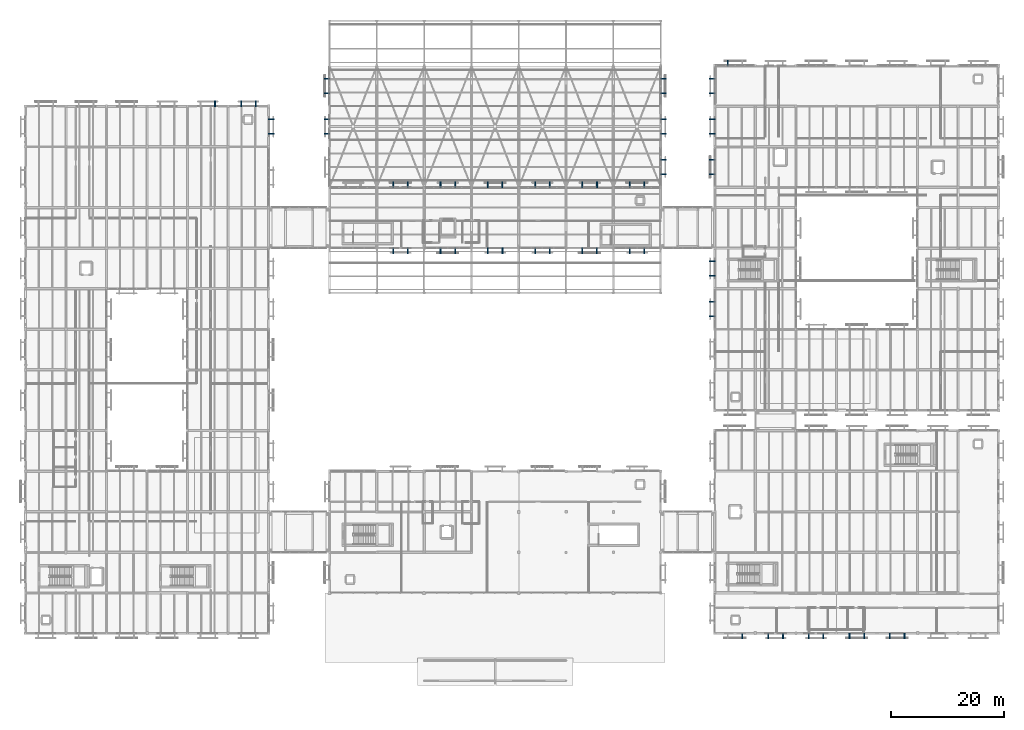
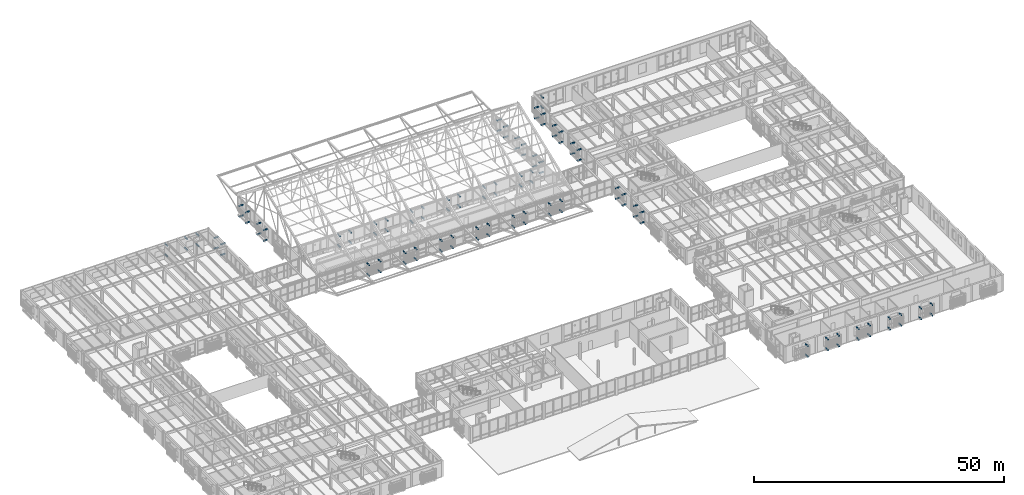
# One storey, part 191 of 217: 118 discrete accessories.
"""IFC4 building model written with IfcOpenShell, lengths in metres."""

from ifc_helpers import new_model, si_unit, direction, frame, origin, origin_2d, place, context, subcontext, project, spatial, rectangle, extrude, material, type_object, element, save


model = new_model("IFC4")

# Units and contexts
model_context = context("Model", 3, precision=1e-05, world=origin(), true_north=direction((0.0, 1.0)))
body_context = subcontext(model_context, "Body", "Model", "MODEL_VIEW")
ifc_project = project(units=[si_unit("LENGTHUNIT", "METRE"), si_unit("AREAUNIT", "SQUARE_METRE"), si_unit("VOLUMEUNIT", "CUBIC_METRE"), si_unit("PLANEANGLEUNIT", "RADIAN"), si_unit("MASSUNIT", "GRAM", prefix="KILO")], contexts=[model_context])

# Site, building, storey
site_placement = place(None, origin())
site = spatial("IfcSite", under=ifc_project, at=site_placement, CompositionType="ELEMENT")
building_placement = place(site_placement, origin())
building = spatial("IfcBuilding", under=site, at=building_placement, Name="Mazaris Harbour Polytechnic", CompositionType="ELEMENT")
storey_placement = place(building_placement, frame((0.0, 0.0, 9.60009765625)))
storey = spatial("IfcBuildingStorey", under=building, at=storey_placement, Name="L02", CompositionType="ELEMENT", Elevation=9.60009765625)

# Discrete accessories
ifc_material = material(Name="Stainless Steel S355", Category="steel")
discrete_accessory_type = type_object("IfcDiscreteAccessoryType", Name="Stainless Screen Outrigger Bracket 200x1020x200", PredefinedType="BRACKET", material=ifc_material)
for number, where, z_axis, x_axis, name in (
    (1, (67.910888671875, 75.159912109375, 0.16015625), (0.0, 0.0, 1.0), (-1.0, 0.0, 0.0), "Screen Outrigger Bracket 93"),
    (2, (67.910888671875, 75.159912109375, 2.73974609375), (0.0, 0.0, 1.0), (-1.0, 0.0, 0.0), "Screen Outrigger Bracket 94"),
    (3, (65.319091796875, 75.159912109375, 0.16015625), (0.0, 0.0, 1.0), (-1.0, 0.0, 0.0), "Screen Outrigger Bracket 95"),
    (4, (65.319091796875, 75.159912109375, 2.73974609375), (0.0, 0.0, 1.0), (-1.0, 0.0, 0.0), "Screen Outrigger Bracket 96"),
    (5, (76.301025390625, 75.159912109375, 0.16015625), (0.0, 0.0, 1.0), (-1.0, 0.0, 0.0), "Screen Outrigger Bracket 97"),
    (6, (76.301025390625, 75.159912109375, 2.73974609375), (0.0, 0.0, 1.0), (-1.0, 0.0, 0.0), "Screen Outrigger Bracket 98"),
    (7, (73.708984375, 75.159912109375, 0.16015625), (0.0, 0.0, 1.0), (-1.0, 0.0, 0.0), "Screen Outrigger Bracket 99"),
    (8, (73.708984375, 75.159912109375, 2.73974609375), (0.0, 0.0, 1.0), (-1.0, 0.0, 0.0), "Screen Outrigger Bracket 100"),
    (9, (84.7109375, 75.159912109375, 0.16015625), (0.0, 0.0, 1.0), (-1.0, 0.0, 0.0), "Screen Outrigger Bracket 101"),
    (10, (84.7109375, 75.159912109375, 2.73974609375), (0.0, 0.0, 1.0), (-1.0, 0.0, 0.0), "Screen Outrigger Bracket 102"),
    (11, (82.118896484375, 75.159912109375, 0.16015625), (0.0, 0.0, 1.0), (-1.0, 0.0, 0.0), "Screen Outrigger Bracket 103"),
    (12, (82.118896484375, 75.159912109375, 2.73974609375), (0.0, 0.0, 1.0), (-1.0, 0.0, 0.0), "Screen Outrigger Bracket 104"),
    (13, (93.10107421875, 75.159912109375, 0.16015625), (0.0, 0.0, 1.0), (-1.0, 0.0, 0.0), "Screen Outrigger Bracket 105"),
    (14, (93.10107421875, 75.159912109375, 2.73974609375), (0.0, 0.0, 1.0), (-1.0, 0.0, 0.0), "Screen Outrigger Bracket 106"),
    (15, (90.509033203125, 75.159912109375, 0.16015625), (0.0, 0.0, 1.0), (-1.0, 0.0, 0.0), "Screen Outrigger Bracket 107"),
    (16, (90.509033203125, 75.159912109375, 2.73974609375), (0.0, 0.0, 1.0), (-1.0, 0.0, 0.0), "Screen Outrigger Bracket 108"),
    (17, (101.466064453125, 75.159912109375, 0.16015625), (0.0, 0.0, 1.0), (-1.0, 0.0, 0.0), "Screen Outrigger Bracket 109"),
    (18, (101.466064453125, 75.159912109375, 2.73974609375), (0.0, 0.0, 1.0), (-1.0, 0.0, 0.0), "Screen Outrigger Bracket 110"),
    (19, (98.8740234375, 75.159912109375, 0.16015625), (0.0, 0.0, 1.0), (-1.0, 0.0, 0.0), "Screen Outrigger Bracket 111"),
    (20, (98.8740234375, 75.159912109375, 2.73974609375), (0.0, 0.0, 1.0), (-1.0, 0.0, 0.0), "Screen Outrigger Bracket 112"),
    (21, (109.910888671875, 75.159912109375, 0.16015625), (0.0, 0.0, 1.0), (-1.0, 0.0, 0.0), "Screen Outrigger Bracket 113"),
    (22, (109.910888671875, 75.159912109375, 2.73974609375), (0.0, 0.0, 1.0), (-1.0, 0.0, 0.0), "Screen Outrigger Bracket 114"),
    (23, (107.319091796875, 75.159912109375, 0.16015625), (0.0, 0.0, 1.0), (-1.0, 0.0, 0.0), "Screen Outrigger Bracket 115"),
    (24, (107.319091796875, 75.159912109375, 2.73974609375), (0.0, 0.0, 1.0), (-1.0, 0.0, 0.0), "Screen Outrigger Bracket 116"),
    (25, (65.303955078125, 86.840087890625, 0.16015625), (0.0, 0.0, 1.0), (1.0, 0.0, 0.0), "Screen Outrigger Bracket 121"),
    (26, (65.303955078125, 86.840087890625, 2.73974609375), (0.0, 0.0, 1.0), (1.0, 0.0, 0.0), "Screen Outrigger Bracket 122"),
    (27, (67.89599609375, 86.840087890625, 0.16015625), (0.0, 0.0, 1.0), (1.0, 0.0, 0.0), "Screen Outrigger Bracket 123"),
    (28, (67.89599609375, 86.840087890625, 2.73974609375), (0.0, 0.0, 1.0), (1.0, 0.0, 0.0), "Screen Outrigger Bracket 124"),
    (29, (73.7041015625, 86.840087890625, 0.16015625), (0.0, 0.0, 1.0), (1.0, 0.0, 0.0), "Screen Outrigger Bracket 125"),
    (30, (73.7041015625, 86.840087890625, 2.73974609375), (0.0, 0.0, 1.0), (1.0, 0.0, 0.0), "Screen Outrigger Bracket 126"),
    (31, (76.2958984375, 86.840087890625, 0.16015625), (0.0, 0.0, 1.0), (1.0, 0.0, 0.0), "Screen Outrigger Bracket 127"),
    (32, (76.2958984375, 86.840087890625, 2.73974609375), (0.0, 0.0, 1.0), (1.0, 0.0, 0.0), "Screen Outrigger Bracket 128"),
    (33, (82.10400390625, 86.840087890625, 0.16015625), (0.0, 0.0, 1.0), (1.0, 0.0, 0.0), "Screen Outrigger Bracket 129"),
    (34, (82.10400390625, 86.840087890625, 2.73974609375), (0.0, 0.0, 1.0), (1.0, 0.0, 0.0), "Screen Outrigger Bracket 130"),
    (35, (84.696044921875, 86.840087890625, 0.16015625), (0.0, 0.0, 1.0), (1.0, 0.0, 0.0), "Screen Outrigger Bracket 131"),
    (36, (84.696044921875, 86.840087890625, 2.73974609375), (0.0, 0.0, 1.0), (1.0, 0.0, 0.0), "Screen Outrigger Bracket 132"),
    (37, (90.50390625, 86.840087890625, 0.16015625), (0.0, 0.0, 1.0), (1.0, 0.0, 0.0), "Screen Outrigger Bracket 133"),
    (38, (90.50390625, 86.840087890625, 2.73974609375), (0.0, 0.0, 1.0), (1.0, 0.0, 0.0), "Screen Outrigger Bracket 134"),
    (39, (93.095947265625, 86.840087890625, 0.16015625), (0.0, 0.0, 1.0), (1.0, 0.0, 0.0), "Screen Outrigger Bracket 135"),
    (40, (93.095947265625, 86.840087890625, 2.73974609375), (0.0, 0.0, 1.0), (1.0, 0.0, 0.0), "Screen Outrigger Bracket 136"),
    (41, (98.904052734375, 86.840087890625, 0.16015625), (0.0, 0.0, 1.0), (1.0, 0.0, 0.0), "Screen Outrigger Bracket 137"),
    (42, (98.904052734375, 86.840087890625, 2.73974609375), (0.0, 0.0, 1.0), (1.0, 0.0, 0.0), "Screen Outrigger Bracket 138"),
    (43, (101.49609375, 86.840087890625, 0.16015625), (0.0, 0.0, 1.0), (1.0, 0.0, 0.0), "Screen Outrigger Bracket 139"),
    (44, (101.49609375, 86.840087890625, 2.73974609375), (0.0, 0.0, 1.0), (1.0, 0.0, 0.0), "Screen Outrigger Bracket 140"),
    (45, (107.303955078125, 86.840087890625, 0.16015625), (0.0, 0.0, 1.0), (1.0, 0.0, 0.0), "Screen Outrigger Bracket 141"),
    (46, (107.303955078125, 86.840087890625, 2.73974609375), (0.0, 0.0, 1.0), (1.0, 0.0, 0.0), "Screen Outrigger Bracket 142"),
    (47, (109.89599609375, 86.840087890625, 0.16015625), (0.0, 0.0, 1.0), (1.0, 0.0, 0.0), "Screen Outrigger Bracket 143"),
    (48, (109.89599609375, 86.840087890625, 2.73974609375), (0.0, 0.0, 1.0), (1.0, 0.0, 0.0), "Screen Outrigger Bracket 144"),
    (49, (53.56005859375, 95.89404296875, 0.16015625), (0.0, 0.0, 1.0), (0.0, 1.0, 0.0), "Screen Outrigger Bracket 149"),
    (50, (53.56005859375, 95.89404296875, 2.73974609375), (0.0, 0.0, 1.0), (0.0, 1.0, 0.0), "Screen Outrigger Bracket 150"),
    (51, (53.56005859375, 98.486083984375, 0.16015625), (0.0, 0.0, 1.0), (0.0, 1.0, 0.0), "Screen Outrigger Bracket 151"),
    (52, (53.56005859375, 98.486083984375, 2.73974609375), (0.0, 0.0, 1.0), (0.0, 1.0, 0.0), "Screen Outrigger Bracket 152"),
    (53, (53.56005859375, 103.093994140625, 0.16015625), (0.0, 0.0, 1.0), (0.0, 1.0, 0.0), "Screen Outrigger Bracket 153"),
    (54, (53.56005859375, 103.093994140625, 2.73974609375), (0.0, 0.0, 1.0), (0.0, 1.0, 0.0), "Screen Outrigger Bracket 154"),
    (55, (53.56005859375, 105.68603515625, 0.16015625), (0.0, 0.0, 1.0), (0.0, 1.0, 0.0), "Screen Outrigger Bracket 155"),
    (56, (53.56005859375, 105.68603515625, 2.73974609375), (0.0, 0.0, 1.0), (0.0, 1.0, 0.0), "Screen Outrigger Bracket 156"),
    (57, (113.239990234375, 91.31591796875, 0.16015625), (0.0, 0.0, 1.0), (0.0, -1.0, 0.0), "Screen Outrigger Bracket 157"),
    (58, (113.239990234375, 91.31591796875, 2.73974609375), (0.0, 0.0, 1.0), (0.0, -1.0, 0.0), "Screen Outrigger Bracket 158"),
    (59, (113.239990234375, 88.72412109375, 0.16015625), (0.0, 0.0, 1.0), (0.0, -1.0, 0.0), "Screen Outrigger Bracket 159"),
    (60, (113.239990234375, 88.72412109375, 2.73974609375), (0.0, 0.0, 1.0), (0.0, -1.0, 0.0), "Screen Outrigger Bracket 160"),
    (61, (113.239990234375, 98.486083984375, 0.16015625), (0.0, 0.0, 1.0), (0.0, -1.0, 0.0), "Screen Outrigger Bracket 161"),
    (62, (113.239990234375, 98.486083984375, 2.73974609375), (0.0, 0.0, 1.0), (0.0, -1.0, 0.0), "Screen Outrigger Bracket 162"),
    (63, (113.239990234375, 95.89404296875, 0.16015625), (0.0, 0.0, 1.0), (0.0, -1.0, 0.0), "Screen Outrigger Bracket 163"),
    (64, (113.239990234375, 95.89404296875, 2.73974609375), (0.0, 0.0, 1.0), (0.0, -1.0, 0.0), "Screen Outrigger Bracket 164"),
    (65, (113.239990234375, 105.68603515625, 0.16015625), (0.0, 0.0, 1.0), (0.0, -1.0, 0.0), "Screen Outrigger Bracket 165"),
    (66, (113.239990234375, 105.68603515625, 2.73974609375), (0.0, 0.0, 1.0), (0.0, -1.0, 0.0), "Screen Outrigger Bracket 166"),
    (67, (113.239990234375, 103.093994140625, 0.16015625), (0.0, 0.0, 1.0), (0.0, -1.0, 0.0), "Screen Outrigger Bracket 167"),
    (68, (113.239990234375, 103.093994140625, 2.73974609375), (0.0, 0.0, 1.0), (0.0, -1.0, 0.0), "Screen Outrigger Bracket 168"),
    (69, (127.281005859375, 6.760009765625, 0.16015625), (0.0, 0.0, 1.0), (-1.0, 0.0, 0.0), "Screen Outrigger Bracket 265"),
    (70, (127.281005859375, 6.760009765625, 2.73974609375), (0.0, 0.0, 1.0), (-1.0, 0.0, 0.0), "Screen Outrigger Bracket 266"),
    (71, (134.51611328125, 6.760009765625, 0.16015625), (0.0, 0.0, 1.0), (-1.0, 0.0, 0.0), "Screen Outrigger Bracket 269"),
    (72, (134.51611328125, 6.760009765625, 2.73974609375), (0.0, 0.0, 1.0), (-1.0, 0.0, 0.0), "Screen Outrigger Bracket 270"),
    (73, (131.924072265625, 6.760009765625, 0.16015625), (0.0, 0.0, 1.0), (-1.0, 0.0, 0.0), "Screen Outrigger Bracket 271"),
    (74, (131.924072265625, 6.760009765625, 2.73974609375), (0.0, 0.0, 1.0), (-1.0, 0.0, 0.0), "Screen Outrigger Bracket 272"),
    (75, (141.6708984375, 6.760009765625, 0.16015625), (0.0, 0.0, 1.0), (-1.0, 0.0, 0.0), "Screen Outrigger Bracket 273"),
    (76, (141.6708984375, 6.760009765625, 2.73974609375), (0.0, 0.0, 1.0), (-1.0, 0.0, 0.0), "Screen Outrigger Bracket 274"),
    (77, (139.0791015625, 6.760009765625, 0.16015625), (0.0, 0.0, 1.0), (-1.0, 0.0, 0.0), "Screen Outrigger Bracket 275"),
    (78, (139.0791015625, 6.760009765625, 2.73974609375), (0.0, 0.0, 1.0), (-1.0, 0.0, 0.0), "Screen Outrigger Bracket 276"),
    (79, (148.916015625, 6.760009765625, 0.16015625), (0.0, 0.0, 1.0), (-1.0, 0.0, 0.0), "Screen Outrigger Bracket 277"),
    (80, (148.916015625, 6.760009765625, 2.73974609375), (0.0, 0.0, 1.0), (-1.0, 0.0, 0.0), "Screen Outrigger Bracket 278"),
    (81, (146.323974609375, 6.760009765625, 0.16015625), (0.0, 0.0, 1.0), (-1.0, 0.0, 0.0), "Screen Outrigger Bracket 279"),
    (82, (146.323974609375, 6.760009765625, 2.73974609375), (0.0, 0.0, 1.0), (-1.0, 0.0, 0.0), "Screen Outrigger Bracket 280"),
    (83, (156.0810546875, 6.760009765625, 0.16015625), (0.0, 0.0, 1.0), (-1.0, 0.0, 0.0), "Screen Outrigger Bracket 281"),
    (84, (156.0810546875, 6.760009765625, 2.73974609375), (0.0, 0.0, 1.0), (-1.0, 0.0, 0.0), "Screen Outrigger Bracket 282"),
    (85, (153.489013671875, 6.760009765625, 0.16015625), (0.0, 0.0, 1.0), (-1.0, 0.0, 0.0), "Screen Outrigger Bracket 283"),
    (86, (153.489013671875, 6.760009765625, 2.73974609375), (0.0, 0.0, 1.0), (-1.0, 0.0, 0.0), "Screen Outrigger Bracket 284"),
    (87, (33.680908203125, 101.239990234375, 0.16015625), (0.0, 0.0, 1.0), (1.0, 0.0, 0.0), "Screen Outrigger Bracket 843"),
    (88, (33.680908203125, 101.239990234375, 2.73974609375), (0.0, 0.0, 1.0), (1.0, 0.0, 0.0), "Screen Outrigger Bracket 844"),
    (89, (38.299072265625, 101.239990234375, 0.16015625), (0.0, 0.0, 1.0), (1.0, 0.0, 0.0), "Screen Outrigger Bracket 845"),
    (90, (38.299072265625, 101.239990234375, 2.73974609375), (0.0, 0.0, 1.0), (1.0, 0.0, 0.0), "Screen Outrigger Bracket 846"),
    (91, (40.89111328125, 101.239990234375, 0.16015625), (0.0, 0.0, 1.0), (1.0, 0.0, 0.0), "Screen Outrigger Bracket 847"),
    (92, (40.89111328125, 101.239990234375, 2.73974609375), (0.0, 0.0, 1.0), (1.0, 0.0, 0.0), "Screen Outrigger Bracket 848"),
    (93, (43.639892578125, 98.48095703125, 0.16015625), (0.0, 0.0, 1.0), (0.0, -1.0, 0.0), "Screen Outrigger Bracket 933"),
    (94, (43.639892578125, 98.48095703125, 2.72998046875), (0.0, 0.0, 1.0), (0.0, -1.0, 0.0), "Screen Outrigger Bracket 934"),
    (95, (43.639892578125, 95.888916015625, 0.16015625), (0.0, 0.0, 1.0), (0.0, -1.0, 0.0), "Screen Outrigger Bracket 935"),
    (96, (43.639892578125, 95.888916015625, 2.72998046875), (0.0, 0.0, 1.0), (0.0, -1.0, 0.0), "Screen Outrigger Bracket 936"),
    (97, (124.718994140625, 108.43994140625, 0.16015625), (0.0, 0.0, 1.0), (1.0, 0.0, 0.0), "Screen Outrigger Bracket 1645"),
    (98, (124.718994140625, 108.43994140625, 2.73974609375), (0.0, 0.0, 1.0), (1.0, 0.0, 0.0), "Screen Outrigger Bracket 1646"),
    (99, (121.9599609375, 63.493896484375, 0.16015625), (0.0, 0.0, 1.0), (0.0, 1.0, 0.0), "Screen Outrigger Bracket 1681"),
    (100, (121.9599609375, 63.493896484375, 2.73974609375), (0.0, 0.0, 1.0), (0.0, 1.0, 0.0), "Screen Outrigger Bracket 1682"),
    (101, (121.9599609375, 66.0859375, 0.16015625), (0.0, 0.0, 1.0), (0.0, 1.0, 0.0), "Screen Outrigger Bracket 1683"),
    (102, (121.9599609375, 66.0859375, 2.73974609375), (0.0, 0.0, 1.0), (0.0, 1.0, 0.0), "Screen Outrigger Bracket 1684"),
    (103, (121.9599609375, 70.694091796875, 0.16015625), (0.0, 0.0, 1.0), (0.0, 1.0, 0.0), "Screen Outrigger Bracket 1685"),
    (104, (121.9599609375, 70.694091796875, 2.73974609375), (0.0, 0.0, 1.0), (0.0, 1.0, 0.0), "Screen Outrigger Bracket 1686"),
    (105, (121.9599609375, 73.285888671875, 0.16015625), (0.0, 0.0, 1.0), (0.0, 1.0, 0.0), "Screen Outrigger Bracket 1687"),
    (106, (121.9599609375, 73.285888671875, 2.73974609375), (0.0, 0.0, 1.0), (0.0, 1.0, 0.0), "Screen Outrigger Bracket 1688"),
    (107, (121.9599609375, 88.708984375, 0.16015625), (0.0, 0.0, 1.0), (0.0, 1.0, 0.0), "Screen Outrigger Bracket 1689"),
    (108, (121.9599609375, 88.708984375, 2.73974609375), (0.0, 0.0, 1.0), (0.0, 1.0, 0.0), "Screen Outrigger Bracket 1690"),
    (109, (121.9599609375, 91.301025390625, 0.16015625), (0.0, 0.0, 1.0), (0.0, 1.0, 0.0), "Screen Outrigger Bracket 1691"),
    (110, (121.9599609375, 91.301025390625, 2.73974609375), (0.0, 0.0, 1.0), (0.0, 1.0, 0.0), "Screen Outrigger Bracket 1692"),
    (111, (121.9599609375, 95.888916015625, 0.16015625), (0.0, 0.0, 1.0), (0.0, 1.0, 0.0), "Screen Outrigger Bracket 1693"),
    (112, (121.9599609375, 95.888916015625, 2.73974609375), (0.0, 0.0, 1.0), (0.0, 1.0, 0.0), "Screen Outrigger Bracket 1694"),
    (113, (121.9599609375, 98.48095703125, 0.16015625), (0.0, 0.0, 1.0), (0.0, 1.0, 0.0), "Screen Outrigger Bracket 1695"),
    (114, (121.9599609375, 98.48095703125, 2.73974609375), (0.0, 0.0, 1.0), (0.0, 1.0, 0.0), "Screen Outrigger Bracket 1696"),
    (115, (121.9599609375, 103.089111328125, 0.16015625), (0.0, 0.0, 1.0), (0.0, 1.0, 0.0), "Screen Outrigger Bracket 1697"),
    (116, (121.9599609375, 103.089111328125, 2.73974609375), (0.0, 0.0, 1.0), (0.0, 1.0, 0.0), "Screen Outrigger Bracket 1698"),
    (117, (121.9599609375, 105.680908203125, 0.16015625), (0.0, 0.0, 1.0), (0.0, 1.0, 0.0), "Screen Outrigger Bracket 1699"),
    (118, (121.9599609375, 105.680908203125, 2.73974609375), (0.0, 0.0, 1.0), (0.0, 1.0, 0.0), "Screen Outrigger Bracket 1700"),
):
    element("IfcDiscreteAccessory", number, at=place(storey_placement, frame(where, z_axis=z_axis, x_axis=x_axis)), inside=storey, type_object=discrete_accessory_type, Name=name, PredefinedType="BRACKET", context=body_context, shape_type="SweptSolid", body=[
        extrude(rectangle(XDim=0.199951171875, YDim=1.02001953125, at=origin_2d()), origin(), (0.0, 0.0, 1.0), 0.199951171875),
    ])

save(model, "model.ifc")
